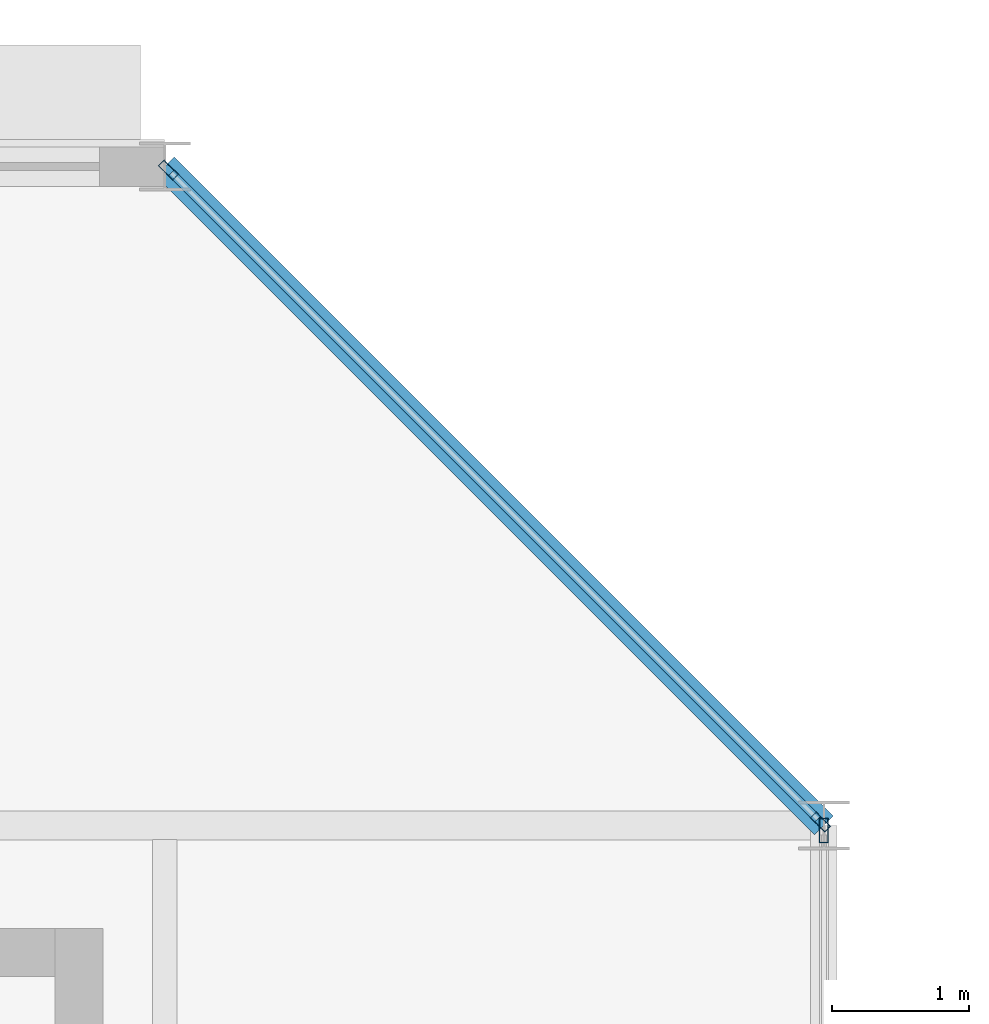
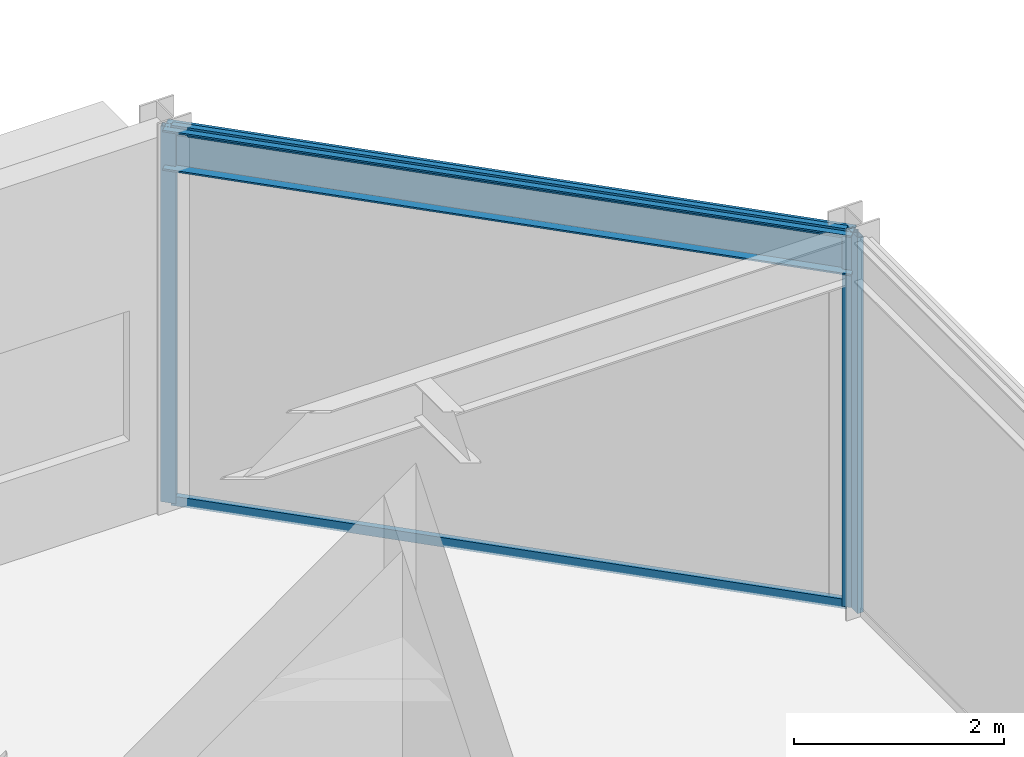
# One storey, part 63 of 133: 5 members, 1 beam, 2 elements without a shape of their own.
"""IFC4 building model written with IfcOpenShell, lengths in metres."""

from ifc_helpers import new_model, si_unit, direction, frame, origin, origin_2d, place, context, subcontext, project, spatial, hollow_rectangle, i_section, extrude, material, material_profile, profile_set, type_object, element, aggregate, save


model = new_model("IFC4")

# Units and contexts
model_context = context("Model", 3, precision=1e-05, world=origin(), true_north=direction((0.0, 1.0)))
body_context = subcontext(model_context, "Body", "Model", "MODEL_VIEW")
ifc_project = project(units=[si_unit("LENGTHUNIT", "METRE"), si_unit("AREAUNIT", "SQUARE_METRE"), si_unit("VOLUMEUNIT", "CUBIC_METRE"), si_unit("PLANEANGLEUNIT", "RADIAN"), si_unit("MASSUNIT", "GRAM", prefix="KILO")], contexts=[model_context])

# Site, building, storey
site_placement = place(None, origin())
site = spatial("IfcSite", under=ifc_project, at=site_placement, CompositionType="ELEMENT")
building_placement = place(site_placement, origin())
building = spatial("IfcBuilding", under=site, at=building_placement, Name="Almandine Court Research Institute", CompositionType="ELEMENT")
storey_placement = place(building_placement, frame((0.0, 0.0, 9.800048828125)))
storey = spatial("IfcBuildingStorey", under=building, at=storey_placement, Name="L02", CompositionType="ELEMENT", Elevation=9.800048828125)

# Beam
ifc_material_1 = material(Name="Steel ASTM A992 Grade 50", Category="steel")
ifc_material_profile_1 = material_profile(ifc_material_1, i_section(OverallWidth=0.193115234375, OverallDepth=0.466064453125, WebThickness=0.010986328125, FlangeThickness=0.01904296875, at=origin_2d()), Name="W460x97")
ifc_profile_set_1 = profile_set([ifc_material_profile_1], Name="Steel ASTM A992 Grade 50")
beam_type = type_object("IfcBeamType", Name="Beam-G-06-E", PredefinedType="SPANDREL", material=ifc_profile_set_1)
beam_placement = place(storey_placement, frame((34.800048828125, 112.800048828125, 4.136962890625), z_axis=(-0.707106781187, 0.707106781187, 0.0), x_axis=(-0.707106781187, -0.707106781187, 0.0)))
element("IfcBeam", 1, at=beam_placement, inside=storey, type_object=beam_type, Name="L02 V3 Octagonal Chamfer Spandrel", PredefinedType="SPANDREL", context=body_context, shape_type="SweptSolid", body=[
    extrude(i_section(OverallWidth=0.193115234375, OverallDepth=0.466064453125, WebThickness=0.010986328125, FlangeThickness=0.01904296875, at=origin_2d()), origin(), (0.0, 0.0, 1.0), 6.788330078125),
])

# Curtain wall, members
ifc_material_2 = material(Name="Unitised Curtain Wall Framing and Solar Glazing", Category="glass")
curtain_wall_type_1 = type_object("IfcCurtainWallType", Name="CW-CWG-05", PredefinedType="USERDEFINED", material=ifc_material_2)
curtain_wall_1_placement = place(storey_placement, origin())
curtain_wall_1 = element("IfcCurtainWall", 2, at=curtain_wall_1_placement, inside=storey, type_object=curtain_wall_type_1, Name="L02 Cleanroom NE Chamfer Glazing", ObjectType="UNITISED GLAZING", PredefinedType="USERDEFINED")
ifc_material_3 = material(Name="Anodised Aluminium AW-6063-T6", Category="aluminium")
ifc_material_profile_2 = material_profile(ifc_material_3, hollow_rectangle(XDim=0.06005859375, YDim=0.14990234375, WallThickness=0.00390625, at=origin_2d()), Name="ALU RHS 60x150x4")
ifc_profile_set_2 = profile_set([ifc_material_profile_2], Name="Anodised Aluminium AW-6063-T6")
member_type_1 = type_object("IfcMemberType", Name="CWMul-60x150", PredefinedType="MULLION", material=ifc_profile_set_2)
member_1_placement = place(storey_placement, frame((30.025146484375, 117.57470703125, 0.0), z_axis=(0.0, 0.0, 1.0), x_axis=(0.707106781187, 0.707106781187, 0.0)))
member_1 = element("IfcMember", 3, at=member_1_placement, type_object=member_type_1, Name="CWG-05 mullion 1", PredefinedType="MULLION", context=body_context, shape_type="SweptSolid", body=[
    extrude(hollow_rectangle(XDim=0.06005859375, YDim=0.14990234375, WallThickness=0.00390625, at=origin_2d()), origin(), (0.0, 0.0, 1.0), 4.369873046875),
])
member_2_placement = place(storey_placement, frame((34.77490234375, 112.8251953125, 0.0), z_axis=(0.0, 0.0, 1.0), x_axis=(0.707106781187, 0.707106781187, 0.0)))
member_2 = element("IfcMember", 4, at=member_2_placement, type_object=member_type_1, Name="CWG-05 mullion 2", PredefinedType="MULLION", context=body_context, shape_type="SweptSolid", body=[
    extrude(hollow_rectangle(XDim=0.06005859375, YDim=0.14990234375, WallThickness=0.00390625, at=origin_2d()), origin(), (0.0, 0.0, 1.0), 4.369873046875),
])

# Curtain wall, member
curtain_wall_type_2 = type_object("IfcCurtainWallType", Name="CW-CWJ-02", PredefinedType="USERDEFINED", material=ifc_material_2)
curtain_wall_2_placement = place(storey_placement, origin())
curtain_wall_2 = element("IfcCurtainWall", 5, at=curtain_wall_2_placement, inside=storey, type_object=curtain_wall_type_2, Name="L02 Cleanroom East Courtyard Jali Screen 3", ObjectType="SOLAR JALI SCREEN", PredefinedType="USERDEFINED")
ifc_material_profile_3 = material_profile(ifc_material_3, hollow_rectangle(XDim=0.06494140625, YDim=0.179931640625, WallThickness=0.00390625, at=origin_2d()), Name="ALU RHS 65x180x4")
ifc_profile_set_3 = profile_set([ifc_material_profile_3], Name="Anodised Aluminium AW-6063-T6")
member_type_2 = type_object("IfcMemberType", Name="CWMul-65x180", PredefinedType="MULLION", material=ifc_profile_set_3)
member_3_placement = place(storey_placement, frame((34.800048828125, 112.763427734375, 0.0), z_axis=(0.0, 0.0, 1.0), x_axis=(1.0, 0.0, 0.0)))
member_3 = element("IfcMember", 6, at=member_3_placement, type_object=member_type_2, Name="CWJ-02 mullion 1", PredefinedType="MULLION", context=body_context, shape_type="SweptSolid", body=[
    extrude(hollow_rectangle(XDim=0.06494140625, YDim=0.179931640625, WallThickness=0.00390625, at=origin_2d()), origin(), (0.0, 0.0, 1.0), 4.369873046875),
])
aggregate(curtain_wall_2, [member_3])

# Member
ifc_material_profile_4 = material_profile(ifc_material_3, hollow_rectangle(XDim=0.06005859375, YDim=0.110107421875, WallThickness=0.00390625, at=origin_2d()), Name="ALU RHS 60x110x4")
ifc_profile_set_4 = profile_set([ifc_material_profile_4], Name="Anodised Aluminium AW-6063-T6")
member_type_3 = type_object("IfcMemberType", Name="CWTrn-60x110", PredefinedType="NOTDEFINED", material=ifc_profile_set_4)
member_4_placement = place(storey_placement, frame((30.04638671875, 117.553466796875, 0.030029296875), z_axis=(0.707125118305, -0.707088443593, 0.0), x_axis=(0.707088443593, 0.707125118305, 0.0)))
member_4 = element("IfcMember", 7, at=member_4_placement, type_object=member_type_3, Name="CWG-05 transom 1.1", ObjectType="TRANSOM", PredefinedType="USERDEFINED", context=body_context, shape_type="SweptSolid", body=[
    extrude(hollow_rectangle(XDim=0.06005859375, YDim=0.110107421875, WallThickness=0.00390625, at=origin_2d()), origin(), (0.0, 0.0, 1.0), 6.656982421875),
])

member_5_placement = place(storey_placement, frame((30.04638671875, 117.553466796875, 4.33984375), z_axis=(0.707125118305, -0.707088443593, 0.0), x_axis=(0.707088443593, 0.707125118305, 0.0)))
member_5 = element("IfcMember", 8, at=member_5_placement, type_object=member_type_3, Name="CWG-05 transom 1.2", ObjectType="TRANSOM", PredefinedType="USERDEFINED", context=body_context, shape_type="SweptSolid", body=[
    extrude(hollow_rectangle(XDim=0.06005859375, YDim=0.110107421875, WallThickness=0.00390625, at=origin_2d()), origin(), (0.0, 0.0, 1.0), 6.656982421875),
])

aggregate(curtain_wall_1, [member_1, member_2, member_4, member_5])

save(model, "model.ifc")
